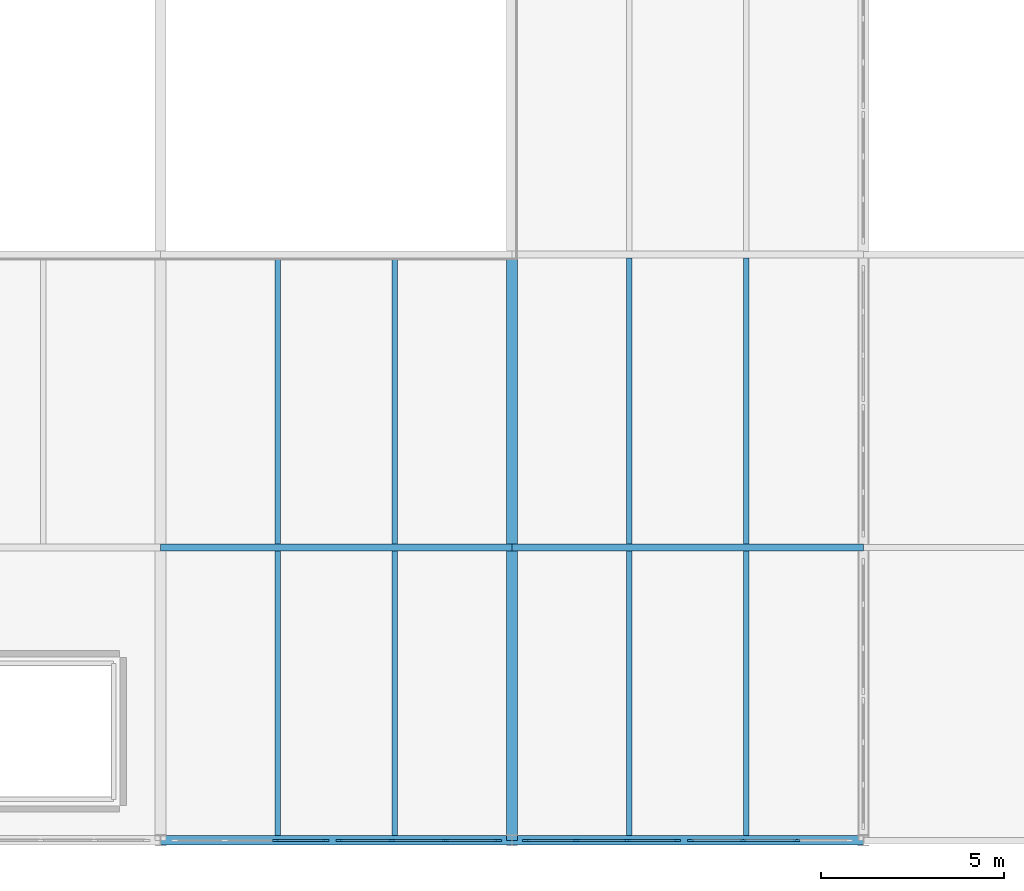
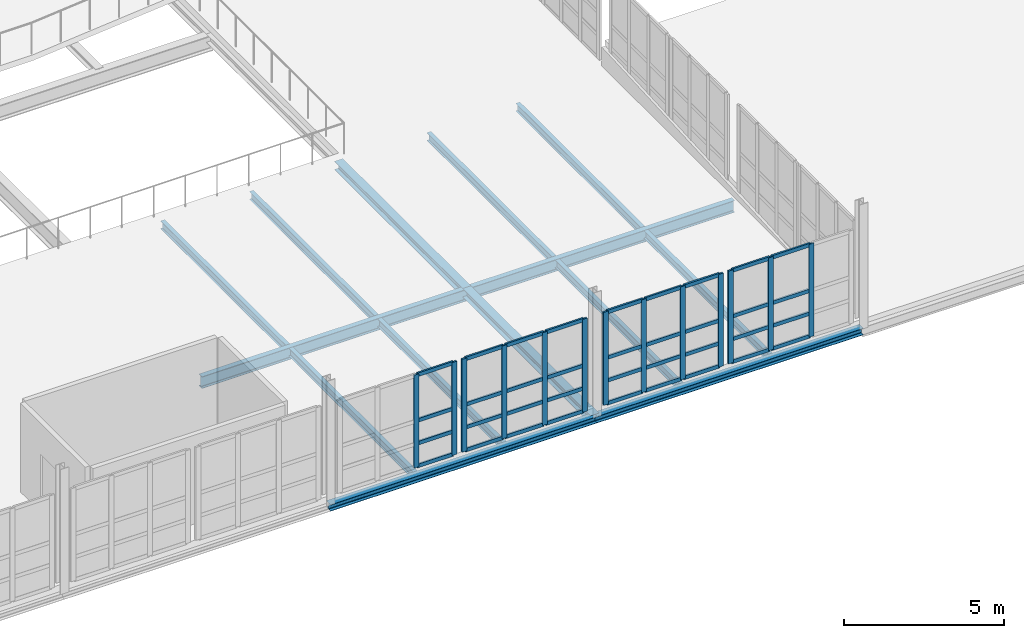
# One storey, part 27 of 73: 49 members, 14 beams, 4 elements without a shape of their own.
"""IFC4 building model written with IfcOpenShell, lengths in metres."""

from ifc_helpers import new_model, si_unit, direction, frame, origin, origin_2d, place, context, subcontext, project, spatial, rectangle, i_section, extrude, material, layer, layer_set, material_profile, profile_set, type_object, element, aggregate, save


model = new_model("IFC4")

# Units and contexts
model_context = context("Model", 3, precision=1e-05, world=origin(), true_north=direction((0.0, 1.0)))
body_context = subcontext(model_context, "Body", "Model", "MODEL_VIEW")
ifc_project = project(units=[si_unit("LENGTHUNIT", "METRE"), si_unit("AREAUNIT", "SQUARE_METRE"), si_unit("VOLUMEUNIT", "CUBIC_METRE"), si_unit("PLANEANGLEUNIT", "RADIAN"), si_unit("MASSUNIT", "GRAM", prefix="KILO")], contexts=[model_context])

# Site, building, storey
site_placement = place(None, origin())
site = spatial("IfcSite", under=ifc_project, at=site_placement, CompositionType="ELEMENT")
building_placement = place(site_placement, origin())
building = spatial("IfcBuilding", under=site, at=building_placement, Name="Alderhovde Museum", CompositionType="ELEMENT")
storey_placement = place(building_placement, frame((0.0, 0.0, 12.89990234375)))
storey = spatial("IfcBuildingStorey", under=building, at=storey_placement, Name="L03", CompositionType="ELEMENT", Elevation=12.89990234375)

# Beams
ifc_material_1 = material(Name="Steel S355J2", Category="steel")
ifc_material_profile_1 = material_profile(ifc_material_1, i_section(OverallWidth=0.300048828125, OverallDepth=0.330078125, WebThickness=0.009521484375, FlangeThickness=0.0166015625, FilletRadius=0.027099609375, at=origin_2d()), Name="HEA 340")
ifc_profile_set_1 = profile_set([ifc_material_profile_1], Name="Steel S355J2")
beam_type_1 = type_object("IfcBeamType", Name="BM-HEA340", PredefinedType="BEAM", material=ifc_profile_set_1)
for number, where, z_axis, x_axis, name in (
    (1, (105.60009765625, 32.0, -0.4248046875), (0.0, 1.0, 0.0), (-1.0, 0.0, 0.0), "L03 Grid Beam X=105.6 (32.0 TO 40.0)"),
    (2, (105.60009765625, 40.0, -0.4248046875), (0.0, 1.0, 0.0), (-1.0, 0.0, 0.0), "L03 Grid Beam X=105.6 (40.0 TO 48.0)"),
):
    element("IfcBeam", number, at=place(storey_placement, frame(where, z_axis=z_axis, x_axis=x_axis)), inside=storey, type_object=beam_type_1, Name=name, PredefinedType="BEAM", context=body_context, shape_type="SweptSolid", body=[
        extrude(i_section(OverallWidth=0.300048828125, OverallDepth=0.330078125, WebThickness=0.009521484375, FlangeThickness=0.0166015625, FilletRadius=0.027099609375, at=origin_2d()), origin(), (0.0, 0.0, 1.0), 8.0),
    ])
ifc_material_2 = material(Name="Steel S355J2", Category="steel")
ifc_material_profile_2 = material_profile(ifc_material_2, i_section(OverallWidth=0.18994140625, OverallDepth=0.449951171875, WebThickness=0.009521484375, FlangeThickness=0.0146484375, FilletRadius=0.02099609375, at=origin_2d()), Name="IPE 450")
ifc_profile_set_2 = profile_set([ifc_material_profile_2], Name="Steel S355J2")
beam_type_2 = type_object("IfcBeamType", Name="BM-IPE450", PredefinedType="BEAM", material=ifc_profile_set_2)
beam_1_placement = place(storey_placement, frame((96.0, 40.0, -0.48486328125), z_axis=(1.0, 0.0, 0.0), x_axis=(0.0, 1.0, 0.0)))
element("IfcBeam", 3, at=beam_1_placement, inside=storey, type_object=beam_type_2, Name="L03 Grid Beam Y=40.0 (96.0 TO 105.6)", PredefinedType="BEAM", context=body_context, shape_type="SweptSolid", body=[
    extrude(i_section(OverallWidth=0.18994140625, OverallDepth=0.449951171875, WebThickness=0.009521484375, FlangeThickness=0.0146484375, FilletRadius=0.02099609375, at=origin_2d()), origin(), (0.0, 0.0, 1.0), 9.60009765625),
])
beam_2_placement = place(storey_placement, frame((105.60009765625, 40.0, -0.48486328125), z_axis=(1.0, 0.0, 0.0), x_axis=(0.0, 1.0, 0.0)))
element("IfcBeam", 4, at=beam_2_placement, inside=storey, type_object=beam_type_2, Name="L03 Grid Beam Y=40.0 (105.6 TO 115.2)", PredefinedType="BEAM", context=body_context, shape_type="SweptSolid", body=[
    extrude(i_section(OverallWidth=0.18994140625, OverallDepth=0.449951171875, WebThickness=0.009521484375, FlangeThickness=0.0146484375, FilletRadius=0.02099609375, at=origin_2d()), origin(), (0.0, 0.0, 1.0), 9.599853515625),
])

# Curtain wall, members
ifc_material_3 = material(Name="Triple-Glazed Bronze-Anodised Curtain Wall", Category="glass")
ifc_layer_1 = layer(ifc_material_3, 0.179931640625)
ifc_layer_set_1 = layer_set([ifc_layer_1], Name="Triple-Glazed Bronze-Anodised Curtain Wall")
curtain_wall_type_1 = type_object("IfcCurtainWallType", Name="CW-UNIT-420x354", PredefinedType="USERDEFINED", material=ifc_layer_set_1)
curtain_wall_1_placement = place(storey_placement, origin())
curtain_wall_1 = element("IfcCurtainWall", 5, at=curtain_wall_1_placement, inside=storey, type_object=curtain_wall_type_1, Name="L03 Unitised Curtain Wall 60", ObjectType="UNITISED CURTAIN WALL", PredefinedType="USERDEFINED")
ifc_material_4 = material(Name="Bronze-Anodised Aluminium EN AW-6063-T6", Category="aluminium")
ifc_material_profile_3 = material_profile(ifc_material_4, rectangle(XDim=0.06494140625, YDim=0.179931640625, at=origin_2d()), Name="MULLION 65x180")
ifc_profile_set_3 = profile_set([ifc_material_profile_3], Name="Bronze-Anodised Aluminium EN AW-6063-T6")
member_type_1 = type_object("IfcMemberType", Name="CWM-65x180", PredefinedType="MULLION", material=ifc_profile_set_3)
member_1_placement = place(storey_placement, frame((99.14990234375, 32.0, 0.0), z_axis=(0.0, 0.0, 1.0), x_axis=(0.0, 1.0, 0.0)))
member_1 = element("IfcMember", 6, at=member_1_placement, type_object=member_type_1, Name="CW15 mullion 3", PredefinedType="MULLION", context=body_context, shape_type="SweptSolid", body=[
    extrude(rectangle(XDim=0.06494140625, YDim=0.179931640625, at=origin_2d()), origin(), (0.0, 0.0, 1.0), 3.5400390625),
])
member_2_placement = place(storey_placement, frame((100.517578125, 32.0, 0.0), z_axis=(0.0, 0.0, 1.0), x_axis=(0.0, 1.0, 0.0)))
member_2 = element("IfcMember", 7, at=member_2_placement, type_object=member_type_1, Name="CW15 mullion 4", PredefinedType="MULLION", context=body_context, shape_type="SweptSolid", body=[
    extrude(rectangle(XDim=0.06494140625, YDim=0.179931640625, at=origin_2d()), origin(), (0.0, 0.0, 1.0), 3.5400390625),
])

ifc_material_5 = material(Name="Triple-Glazed Bronze-Anodised Curtain Wall", Category="glass")
ifc_layer_2 = layer(ifc_material_5, 0.179931640625)
ifc_layer_set_2 = layer_set([ifc_layer_2], Name="Triple-Glazed Bronze-Anodised Curtain Wall")
curtain_wall_type_2 = type_object("IfcCurtainWallType", Name="CW-UNIT-440x354", PredefinedType="USERDEFINED", material=ifc_layer_set_2)
curtain_wall_2_placement = place(storey_placement, origin())
curtain_wall_2 = element("IfcCurtainWall", 8, at=curtain_wall_2_placement, inside=storey, type_object=curtain_wall_type_2, Name="L03 Unitised Curtain Wall 61", ObjectType="UNITISED CURTAIN WALL", PredefinedType="USERDEFINED")
member_3_placement = place(storey_placement, frame((100.882568359375, 32.0, 0.0), z_axis=(0.0, 0.0, 1.0), x_axis=(0.0, 1.0, 0.0)))
member_3 = element("IfcMember", 9, at=member_3_placement, type_object=member_type_1, Name="CW16 mullion 1", PredefinedType="MULLION", context=body_context, shape_type="SweptSolid", body=[
    extrude(rectangle(XDim=0.06494140625, YDim=0.179931640625, at=origin_2d()), origin(), (0.0, 0.0, 1.0), 3.5400390625),
])
member_4_placement = place(storey_placement, frame((102.316650390625, 32.0, 0.0), z_axis=(0.0, 0.0, 1.0), x_axis=(0.0, 1.0, 0.0)))
member_4 = element("IfcMember", 10, at=member_4_placement, type_object=member_type_1, Name="CW16 mullion 2", PredefinedType="MULLION", context=body_context, shape_type="SweptSolid", body=[
    extrude(rectangle(XDim=0.06494140625, YDim=0.179931640625, at=origin_2d()), origin(), (0.0, 0.0, 1.0), 3.5400390625),
])
member_5_placement = place(storey_placement, frame((103.783447265625, 32.0, 0.0), z_axis=(0.0, 0.0, 1.0), x_axis=(0.0, 1.0, 0.0)))
member_5 = element("IfcMember", 11, at=member_5_placement, type_object=member_type_1, Name="CW16 mullion 3", PredefinedType="MULLION", context=body_context, shape_type="SweptSolid", body=[
    extrude(rectangle(XDim=0.06494140625, YDim=0.179931640625, at=origin_2d()), origin(), (0.0, 0.0, 1.0), 3.5400390625),
])
member_6_placement = place(storey_placement, frame((105.217529296875, 32.0, 0.0), z_axis=(0.0, 0.0, 1.0), x_axis=(0.0, 1.0, 0.0)))
member_6 = element("IfcMember", 12, at=member_6_placement, type_object=member_type_1, Name="CW16 mullion 4", PredefinedType="MULLION", context=body_context, shape_type="SweptSolid", body=[
    extrude(rectangle(XDim=0.06494140625, YDim=0.179931640625, at=origin_2d()), origin(), (0.0, 0.0, 1.0), 3.5400390625),
])

curtain_wall_3_placement = place(storey_placement, origin())
curtain_wall_3 = element("IfcCurtainWall", 13, at=curtain_wall_3_placement, inside=storey, type_object=curtain_wall_type_1, Name="L03 Unitised Curtain Wall 62", ObjectType="UNITISED CURTAIN WALL", PredefinedType="USERDEFINED")
member_7_placement = place(storey_placement, frame((105.982421875, 32.0, 0.0), z_axis=(0.0, 0.0, 1.0), x_axis=(0.0, 1.0, 0.0)))
member_7 = element("IfcMember", 14, at=member_7_placement, type_object=member_type_1, Name="CW15 mullion 1", PredefinedType="MULLION", context=body_context, shape_type="SweptSolid", body=[
    extrude(rectangle(XDim=0.06494140625, YDim=0.179931640625, at=origin_2d()), origin(), (0.0, 0.0, 1.0), 3.5400390625),
])
member_8_placement = place(storey_placement, frame((107.35009765625, 32.0, 0.0), z_axis=(0.0, 0.0, 1.0), x_axis=(0.0, 1.0, 0.0)))
member_8 = element("IfcMember", 15, at=member_8_placement, type_object=member_type_1, Name="CW15 mullion 2", PredefinedType="MULLION", context=body_context, shape_type="SweptSolid", body=[
    extrude(rectangle(XDim=0.06494140625, YDim=0.179931640625, at=origin_2d()), origin(), (0.0, 0.0, 1.0), 3.5400390625),
])
member_9_placement = place(storey_placement, frame((108.75, 32.0, 0.0), z_axis=(0.0, 0.0, 1.0), x_axis=(0.0, 1.0, 0.0)))
member_9 = element("IfcMember", 16, at=member_9_placement, type_object=member_type_1, Name="CW15 mullion 3", PredefinedType="MULLION", context=body_context, shape_type="SweptSolid", body=[
    extrude(rectangle(XDim=0.06494140625, YDim=0.179931640625, at=origin_2d()), origin(), (0.0, 0.0, 1.0), 3.5400390625),
])
member_10_placement = place(storey_placement, frame((110.117431640625, 32.0, 0.0), z_axis=(0.0, 0.0, 1.0), x_axis=(0.0, 1.0, 0.0)))
member_10 = element("IfcMember", 17, at=member_10_placement, type_object=member_type_1, Name="CW15 mullion 4", PredefinedType="MULLION", context=body_context, shape_type="SweptSolid", body=[
    extrude(rectangle(XDim=0.06494140625, YDim=0.179931640625, at=origin_2d()), origin(), (0.0, 0.0, 1.0), 3.5400390625),
])

curtain_wall_4_placement = place(storey_placement, origin())
curtain_wall_4 = element("IfcCurtainWall", 18, at=curtain_wall_4_placement, inside=storey, type_object=curtain_wall_type_2, Name="L03 Unitised Curtain Wall 63", ObjectType="UNITISED CURTAIN WALL", PredefinedType="USERDEFINED")
member_11_placement = place(storey_placement, frame((110.482421875, 32.0, 0.0), z_axis=(0.0, 0.0, 1.0), x_axis=(0.0, 1.0, 0.0)))
member_11 = element("IfcMember", 19, at=member_11_placement, type_object=member_type_1, Name="CW16 mullion 1", PredefinedType="MULLION", context=body_context, shape_type="SweptSolid", body=[
    extrude(rectangle(XDim=0.06494140625, YDim=0.179931640625, at=origin_2d()), origin(), (0.0, 0.0, 1.0), 3.5400390625),
])
member_12_placement = place(storey_placement, frame((111.916748046875, 32.0, 0.0), z_axis=(0.0, 0.0, 1.0), x_axis=(0.0, 1.0, 0.0)))
member_12 = element("IfcMember", 20, at=member_12_placement, type_object=member_type_1, Name="CW16 mullion 2", PredefinedType="MULLION", context=body_context, shape_type="SweptSolid", body=[
    extrude(rectangle(XDim=0.06494140625, YDim=0.179931640625, at=origin_2d()), origin(), (0.0, 0.0, 1.0), 3.5400390625),
])
member_13_placement = place(storey_placement, frame((113.38330078125, 32.0, 0.0), z_axis=(0.0, 0.0, 1.0), x_axis=(0.0, 1.0, 0.0)))
member_13 = element("IfcMember", 21, at=member_13_placement, type_object=member_type_1, Name="CW16 mullion 3", PredefinedType="MULLION", context=body_context, shape_type="SweptSolid", body=[
    extrude(rectangle(XDim=0.06494140625, YDim=0.179931640625, at=origin_2d()), origin(), (0.0, 0.0, 1.0), 3.5400390625),
])

# Member
ifc_material_6 = material(Name="Bronze-Anodised Aluminium EN AW-6063-T6", Category="aluminium")
ifc_material_profile_4 = material_profile(ifc_material_6, rectangle(XDim=0.06494140625, YDim=0.139892578125, at=origin_2d()), Name="TRANSOM 65x140")
ifc_profile_set_4 = profile_set([ifc_material_profile_4], Name="Bronze-Anodised Aluminium EN AW-6063-T6")
member_type_2 = type_object("IfcMemberType", Name="CWT-65x140", PredefinedType="USERDEFINED", material=ifc_profile_set_4)
member_14_placement = place(storey_placement, frame((99.1826171875, 32.0, 0.03271484375), z_axis=(1.0, 0.0, 0.0), x_axis=(0.0, 1.0, 0.0)))
member_14 = element("IfcMember", 22, at=member_14_placement, type_object=member_type_2, Name="CW15 transom 3.1", ObjectType="TRANSOM", PredefinedType="USERDEFINED", context=body_context, shape_type="SweptSolid", body=[
    extrude(rectangle(XDim=0.06494140625, YDim=0.139892578125, at=origin_2d()), origin(), (0.0, 0.0, 1.0), 1.302490234375),
])

member_15_placement = place(storey_placement, frame((99.1826171875, 32.0, 0.900146484375), z_axis=(1.0, 0.0, 0.0), x_axis=(0.0, 1.0, 0.0)))
member_15 = element("IfcMember", 23, at=member_15_placement, type_object=member_type_2, Name="CW15 transom 3.2", ObjectType="TRANSOM", PredefinedType="USERDEFINED", context=body_context, shape_type="SweptSolid", body=[
    extrude(rectangle(XDim=0.06494140625, YDim=0.139892578125, at=origin_2d()), origin(), (0.0, 0.0, 1.0), 1.302490234375),
])

member_16_placement = place(storey_placement, frame((99.1826171875, 32.0, 1.77001953125), z_axis=(1.0, 0.0, 0.0), x_axis=(0.0, 1.0, 0.0)))
member_16 = element("IfcMember", 24, at=member_16_placement, type_object=member_type_2, Name="CW15 transom 3.3", ObjectType="TRANSOM", PredefinedType="USERDEFINED", context=body_context, shape_type="SweptSolid", body=[
    extrude(rectangle(XDim=0.06494140625, YDim=0.139892578125, at=origin_2d()), origin(), (0.0, 0.0, 1.0), 1.302490234375),
])

member_17_placement = place(storey_placement, frame((99.1826171875, 32.0, 3.507568359375), z_axis=(1.0, 0.0, 0.0), x_axis=(0.0, 1.0, 0.0)))
member_17 = element("IfcMember", 25, at=member_17_placement, type_object=member_type_2, Name="CW15 transom 3.4", ObjectType="TRANSOM", PredefinedType="USERDEFINED", context=body_context, shape_type="SweptSolid", body=[
    extrude(rectangle(XDim=0.06494140625, YDim=0.139892578125, at=origin_2d()), origin(), (0.0, 0.0, 1.0), 1.302490234375),
])

aggregate(curtain_wall_1, [member_1, member_2, member_14, member_15, member_16, member_17])

member_18_placement = place(storey_placement, frame((100.9150390625, 32.0, 0.03271484375), z_axis=(1.0, 0.0, 0.0), x_axis=(0.0, 1.0, 0.0)))
member_18 = element("IfcMember", 26, at=member_18_placement, type_object=member_type_2, Name="CW16 transom 1.1", ObjectType="TRANSOM", PredefinedType="USERDEFINED", context=body_context, shape_type="SweptSolid", body=[
    extrude(rectangle(XDim=0.06494140625, YDim=0.139892578125, at=origin_2d()), origin(), (0.0, 0.0, 1.0), 1.369140625),
])

member_19_placement = place(storey_placement, frame((100.9150390625, 32.0, 0.900146484375), z_axis=(1.0, 0.0, 0.0), x_axis=(0.0, 1.0, 0.0)))
member_19 = element("IfcMember", 27, at=member_19_placement, type_object=member_type_2, Name="CW16 transom 1.2", ObjectType="TRANSOM", PredefinedType="USERDEFINED", context=body_context, shape_type="SweptSolid", body=[
    extrude(rectangle(XDim=0.06494140625, YDim=0.139892578125, at=origin_2d()), origin(), (0.0, 0.0, 1.0), 1.369140625),
])

member_20_placement = place(storey_placement, frame((100.9150390625, 32.0, 1.77001953125), z_axis=(1.0, 0.0, 0.0), x_axis=(0.0, 1.0, 0.0)))
member_20 = element("IfcMember", 28, at=member_20_placement, type_object=member_type_2, Name="CW16 transom 1.3", ObjectType="TRANSOM", PredefinedType="USERDEFINED", context=body_context, shape_type="SweptSolid", body=[
    extrude(rectangle(XDim=0.06494140625, YDim=0.139892578125, at=origin_2d()), origin(), (0.0, 0.0, 1.0), 1.369140625),
])

member_21_placement = place(storey_placement, frame((100.9150390625, 32.0, 3.507568359375), z_axis=(1.0, 0.0, 0.0), x_axis=(0.0, 1.0, 0.0)))
member_21 = element("IfcMember", 29, at=member_21_placement, type_object=member_type_2, Name="CW16 transom 1.4", ObjectType="TRANSOM", PredefinedType="USERDEFINED", context=body_context, shape_type="SweptSolid", body=[
    extrude(rectangle(XDim=0.06494140625, YDim=0.139892578125, at=origin_2d()), origin(), (0.0, 0.0, 1.0), 1.369140625),
])

member_22_placement = place(storey_placement, frame((102.34912109375, 32.0, 0.03271484375), z_axis=(1.0, 0.0, 0.0), x_axis=(0.0, 1.0, 0.0)))
member_22 = element("IfcMember", 30, at=member_22_placement, type_object=member_type_2, Name="CW16 transom 2.1", ObjectType="TRANSOM", PredefinedType="USERDEFINED", context=body_context, shape_type="SweptSolid", body=[
    extrude(rectangle(XDim=0.06494140625, YDim=0.139892578125, at=origin_2d()), origin(), (0.0, 0.0, 1.0), 1.401611328125),
])

member_23_placement = place(storey_placement, frame((102.34912109375, 32.0, 0.900146484375), z_axis=(1.0, 0.0, 0.0), x_axis=(0.0, 1.0, 0.0)))
member_23 = element("IfcMember", 31, at=member_23_placement, type_object=member_type_2, Name="CW16 transom 2.2", ObjectType="TRANSOM", PredefinedType="USERDEFINED", context=body_context, shape_type="SweptSolid", body=[
    extrude(rectangle(XDim=0.06494140625, YDim=0.139892578125, at=origin_2d()), origin(), (0.0, 0.0, 1.0), 1.401611328125),
])

member_24_placement = place(storey_placement, frame((102.34912109375, 32.0, 1.77001953125), z_axis=(1.0, 0.0, 0.0), x_axis=(0.0, 1.0, 0.0)))
member_24 = element("IfcMember", 32, at=member_24_placement, type_object=member_type_2, Name="CW16 transom 2.3", ObjectType="TRANSOM", PredefinedType="USERDEFINED", context=body_context, shape_type="SweptSolid", body=[
    extrude(rectangle(XDim=0.06494140625, YDim=0.139892578125, at=origin_2d()), origin(), (0.0, 0.0, 1.0), 1.401611328125),
])

member_25_placement = place(storey_placement, frame((102.34912109375, 32.0, 3.507568359375), z_axis=(1.0, 0.0, 0.0), x_axis=(0.0, 1.0, 0.0)))
member_25 = element("IfcMember", 33, at=member_25_placement, type_object=member_type_2, Name="CW16 transom 2.4", ObjectType="TRANSOM", PredefinedType="USERDEFINED", context=body_context, shape_type="SweptSolid", body=[
    extrude(rectangle(XDim=0.06494140625, YDim=0.139892578125, at=origin_2d()), origin(), (0.0, 0.0, 1.0), 1.401611328125),
])

member_26_placement = place(storey_placement, frame((103.81591796875, 32.0, 0.03271484375), z_axis=(1.0, 0.0, 0.0), x_axis=(0.0, 1.0, 0.0)))
member_26 = element("IfcMember", 34, at=member_26_placement, type_object=member_type_2, Name="CW16 transom 3.1", ObjectType="TRANSOM", PredefinedType="USERDEFINED", context=body_context, shape_type="SweptSolid", body=[
    extrude(rectangle(XDim=0.06494140625, YDim=0.139892578125, at=origin_2d()), origin(), (0.0, 0.0, 1.0), 1.369140625),
])

member_27_placement = place(storey_placement, frame((103.81591796875, 32.0, 0.900146484375), z_axis=(1.0, 0.0, 0.0), x_axis=(0.0, 1.0, 0.0)))
member_27 = element("IfcMember", 35, at=member_27_placement, type_object=member_type_2, Name="CW16 transom 3.2", ObjectType="TRANSOM", PredefinedType="USERDEFINED", context=body_context, shape_type="SweptSolid", body=[
    extrude(rectangle(XDim=0.06494140625, YDim=0.139892578125, at=origin_2d()), origin(), (0.0, 0.0, 1.0), 1.369140625),
])

member_28_placement = place(storey_placement, frame((103.81591796875, 32.0, 1.77001953125), z_axis=(1.0, 0.0, 0.0), x_axis=(0.0, 1.0, 0.0)))
member_28 = element("IfcMember", 36, at=member_28_placement, type_object=member_type_2, Name="CW16 transom 3.3", ObjectType="TRANSOM", PredefinedType="USERDEFINED", context=body_context, shape_type="SweptSolid", body=[
    extrude(rectangle(XDim=0.06494140625, YDim=0.139892578125, at=origin_2d()), origin(), (0.0, 0.0, 1.0), 1.369140625),
])

member_29_placement = place(storey_placement, frame((103.81591796875, 32.0, 3.507568359375), z_axis=(1.0, 0.0, 0.0), x_axis=(0.0, 1.0, 0.0)))
member_29 = element("IfcMember", 37, at=member_29_placement, type_object=member_type_2, Name="CW16 transom 3.4", ObjectType="TRANSOM", PredefinedType="USERDEFINED", context=body_context, shape_type="SweptSolid", body=[
    extrude(rectangle(XDim=0.06494140625, YDim=0.139892578125, at=origin_2d()), origin(), (0.0, 0.0, 1.0), 1.369140625),
])

aggregate(curtain_wall_2, [member_3, member_4, member_5, member_6, member_18, member_19, member_20, member_21, member_22, member_23, member_24, member_25, member_26, member_27, member_28, member_29])

member_30_placement = place(storey_placement, frame((106.014892578125, 32.0, 0.03271484375), z_axis=(1.0, 0.0, 0.0), x_axis=(0.0, 1.0, 0.0)))
member_30 = element("IfcMember", 38, at=member_30_placement, type_object=member_type_2, Name="CW15 transom 1.1", ObjectType="TRANSOM", PredefinedType="USERDEFINED", context=body_context, shape_type="SweptSolid", body=[
    extrude(rectangle(XDim=0.06494140625, YDim=0.139892578125, at=origin_2d()), origin(), (0.0, 0.0, 1.0), 1.302490234375),
])

member_31_placement = place(storey_placement, frame((106.014892578125, 32.0, 0.900146484375), z_axis=(1.0, 0.0, 0.0), x_axis=(0.0, 1.0, 0.0)))
member_31 = element("IfcMember", 39, at=member_31_placement, type_object=member_type_2, Name="CW15 transom 1.2", ObjectType="TRANSOM", PredefinedType="USERDEFINED", context=body_context, shape_type="SweptSolid", body=[
    extrude(rectangle(XDim=0.06494140625, YDim=0.139892578125, at=origin_2d()), origin(), (0.0, 0.0, 1.0), 1.302490234375),
])

member_32_placement = place(storey_placement, frame((106.014892578125, 32.0, 1.77001953125), z_axis=(1.0, 0.0, 0.0), x_axis=(0.0, 1.0, 0.0)))
member_32 = element("IfcMember", 40, at=member_32_placement, type_object=member_type_2, Name="CW15 transom 1.3", ObjectType="TRANSOM", PredefinedType="USERDEFINED", context=body_context, shape_type="SweptSolid", body=[
    extrude(rectangle(XDim=0.06494140625, YDim=0.139892578125, at=origin_2d()), origin(), (0.0, 0.0, 1.0), 1.302490234375),
])

member_33_placement = place(storey_placement, frame((106.014892578125, 32.0, 3.507568359375), z_axis=(1.0, 0.0, 0.0), x_axis=(0.0, 1.0, 0.0)))
member_33 = element("IfcMember", 41, at=member_33_placement, type_object=member_type_2, Name="CW15 transom 1.4", ObjectType="TRANSOM", PredefinedType="USERDEFINED", context=body_context, shape_type="SweptSolid", body=[
    extrude(rectangle(XDim=0.06494140625, YDim=0.139892578125, at=origin_2d()), origin(), (0.0, 0.0, 1.0), 1.302490234375),
])

member_34_placement = place(storey_placement, frame((107.382568359375, 32.0, 0.03271484375), z_axis=(1.0, 0.0, 0.0), x_axis=(0.0, 1.0, 0.0)))
member_34 = element("IfcMember", 42, at=member_34_placement, type_object=member_type_2, Name="CW15 transom 2.1", ObjectType="TRANSOM", PredefinedType="USERDEFINED", context=body_context, shape_type="SweptSolid", body=[
    extrude(rectangle(XDim=0.06494140625, YDim=0.139892578125, at=origin_2d()), origin(), (0.0, 0.0, 1.0), 1.3349609375),
])

member_35_placement = place(storey_placement, frame((107.382568359375, 32.0, 0.900146484375), z_axis=(1.0, 0.0, 0.0), x_axis=(0.0, 1.0, 0.0)))
member_35 = element("IfcMember", 43, at=member_35_placement, type_object=member_type_2, Name="CW15 transom 2.2", ObjectType="TRANSOM", PredefinedType="USERDEFINED", context=body_context, shape_type="SweptSolid", body=[
    extrude(rectangle(XDim=0.06494140625, YDim=0.139892578125, at=origin_2d()), origin(), (0.0, 0.0, 1.0), 1.3349609375),
])

member_36_placement = place(storey_placement, frame((107.382568359375, 32.0, 1.77001953125), z_axis=(1.0, 0.0, 0.0), x_axis=(0.0, 1.0, 0.0)))
member_36 = element("IfcMember", 44, at=member_36_placement, type_object=member_type_2, Name="CW15 transom 2.3", ObjectType="TRANSOM", PredefinedType="USERDEFINED", context=body_context, shape_type="SweptSolid", body=[
    extrude(rectangle(XDim=0.06494140625, YDim=0.139892578125, at=origin_2d()), origin(), (0.0, 0.0, 1.0), 1.3349609375),
])

member_37_placement = place(storey_placement, frame((107.382568359375, 32.0, 3.507568359375), z_axis=(1.0, 0.0, 0.0), x_axis=(0.0, 1.0, 0.0)))
member_37 = element("IfcMember", 45, at=member_37_placement, type_object=member_type_2, Name="CW15 transom 2.4", ObjectType="TRANSOM", PredefinedType="USERDEFINED", context=body_context, shape_type="SweptSolid", body=[
    extrude(rectangle(XDim=0.06494140625, YDim=0.139892578125, at=origin_2d()), origin(), (0.0, 0.0, 1.0), 1.3349609375),
])

member_38_placement = place(storey_placement, frame((108.782470703125, 32.0, 0.03271484375), z_axis=(1.0, 0.0, 0.0), x_axis=(0.0, 1.0, 0.0)))
member_38 = element("IfcMember", 46, at=member_38_placement, type_object=member_type_2, Name="CW15 transom 3.1", ObjectType="TRANSOM", PredefinedType="USERDEFINED", context=body_context, shape_type="SweptSolid", body=[
    extrude(rectangle(XDim=0.06494140625, YDim=0.139892578125, at=origin_2d()), origin(), (0.0, 0.0, 1.0), 1.302490234375),
])

member_39_placement = place(storey_placement, frame((108.782470703125, 32.0, 0.900146484375), z_axis=(1.0, 0.0, 0.0), x_axis=(0.0, 1.0, 0.0)))
member_39 = element("IfcMember", 47, at=member_39_placement, type_object=member_type_2, Name="CW15 transom 3.2", ObjectType="TRANSOM", PredefinedType="USERDEFINED", context=body_context, shape_type="SweptSolid", body=[
    extrude(rectangle(XDim=0.06494140625, YDim=0.139892578125, at=origin_2d()), origin(), (0.0, 0.0, 1.0), 1.302490234375),
])

member_40_placement = place(storey_placement, frame((108.782470703125, 32.0, 1.77001953125), z_axis=(1.0, 0.0, 0.0), x_axis=(0.0, 1.0, 0.0)))
member_40 = element("IfcMember", 48, at=member_40_placement, type_object=member_type_2, Name="CW15 transom 3.3", ObjectType="TRANSOM", PredefinedType="USERDEFINED", context=body_context, shape_type="SweptSolid", body=[
    extrude(rectangle(XDim=0.06494140625, YDim=0.139892578125, at=origin_2d()), origin(), (0.0, 0.0, 1.0), 1.302490234375),
])

member_41_placement = place(storey_placement, frame((108.782470703125, 32.0, 3.507568359375), z_axis=(1.0, 0.0, 0.0), x_axis=(0.0, 1.0, 0.0)))
member_41 = element("IfcMember", 49, at=member_41_placement, type_object=member_type_2, Name="CW15 transom 3.4", ObjectType="TRANSOM", PredefinedType="USERDEFINED", context=body_context, shape_type="SweptSolid", body=[
    extrude(rectangle(XDim=0.06494140625, YDim=0.139892578125, at=origin_2d()), origin(), (0.0, 0.0, 1.0), 1.302490234375),
])

aggregate(curtain_wall_3, [member_7, member_8, member_9, member_10, member_30, member_31, member_32, member_33, member_34, member_35, member_36, member_37, member_38, member_39, member_40, member_41])

member_42_placement = place(storey_placement, frame((110.514892578125, 32.0, 0.03271484375), z_axis=(1.0, 0.0, 0.0), x_axis=(0.0, 1.0, 0.0)))
member_42 = element("IfcMember", 50, at=member_42_placement, type_object=member_type_2, Name="CW16 transom 1.1", ObjectType="TRANSOM", PredefinedType="USERDEFINED", context=body_context, shape_type="SweptSolid", body=[
    extrude(rectangle(XDim=0.06494140625, YDim=0.139892578125, at=origin_2d()), origin(), (0.0, 0.0, 1.0), 1.369384765625),
])

member_43_placement = place(storey_placement, frame((110.514892578125, 32.0, 0.900146484375), z_axis=(1.0, 0.0, 0.0), x_axis=(0.0, 1.0, 0.0)))
member_43 = element("IfcMember", 51, at=member_43_placement, type_object=member_type_2, Name="CW16 transom 1.2", ObjectType="TRANSOM", PredefinedType="USERDEFINED", context=body_context, shape_type="SweptSolid", body=[
    extrude(rectangle(XDim=0.06494140625, YDim=0.139892578125, at=origin_2d()), origin(), (0.0, 0.0, 1.0), 1.369384765625),
])

member_44_placement = place(storey_placement, frame((110.514892578125, 32.0, 1.77001953125), z_axis=(1.0, 0.0, 0.0), x_axis=(0.0, 1.0, 0.0)))
member_44 = element("IfcMember", 52, at=member_44_placement, type_object=member_type_2, Name="CW16 transom 1.3", ObjectType="TRANSOM", PredefinedType="USERDEFINED", context=body_context, shape_type="SweptSolid", body=[
    extrude(rectangle(XDim=0.06494140625, YDim=0.139892578125, at=origin_2d()), origin(), (0.0, 0.0, 1.0), 1.369384765625),
])

member_45_placement = place(storey_placement, frame((110.514892578125, 32.0, 3.507568359375), z_axis=(1.0, 0.0, 0.0), x_axis=(0.0, 1.0, 0.0)))
member_45 = element("IfcMember", 53, at=member_45_placement, type_object=member_type_2, Name="CW16 transom 1.4", ObjectType="TRANSOM", PredefinedType="USERDEFINED", context=body_context, shape_type="SweptSolid", body=[
    extrude(rectangle(XDim=0.06494140625, YDim=0.139892578125, at=origin_2d()), origin(), (0.0, 0.0, 1.0), 1.369384765625),
])

member_46_placement = place(storey_placement, frame((111.94921875, 32.0, 0.03271484375), z_axis=(1.0, 0.0, 0.0), x_axis=(0.0, 1.0, 0.0)))
member_46 = element("IfcMember", 54, at=member_46_placement, type_object=member_type_2, Name="CW16 transom 2.1", ObjectType="TRANSOM", PredefinedType="USERDEFINED", context=body_context, shape_type="SweptSolid", body=[
    extrude(rectangle(XDim=0.06494140625, YDim=0.139892578125, at=origin_2d()), origin(), (0.0, 0.0, 1.0), 1.401611328125),
])

member_47_placement = place(storey_placement, frame((111.94921875, 32.0, 0.900146484375), z_axis=(1.0, 0.0, 0.0), x_axis=(0.0, 1.0, 0.0)))
member_47 = element("IfcMember", 55, at=member_47_placement, type_object=member_type_2, Name="CW16 transom 2.2", ObjectType="TRANSOM", PredefinedType="USERDEFINED", context=body_context, shape_type="SweptSolid", body=[
    extrude(rectangle(XDim=0.06494140625, YDim=0.139892578125, at=origin_2d()), origin(), (0.0, 0.0, 1.0), 1.401611328125),
])

member_48_placement = place(storey_placement, frame((111.94921875, 32.0, 1.77001953125), z_axis=(1.0, 0.0, 0.0), x_axis=(0.0, 1.0, 0.0)))
member_48 = element("IfcMember", 56, at=member_48_placement, type_object=member_type_2, Name="CW16 transom 2.3", ObjectType="TRANSOM", PredefinedType="USERDEFINED", context=body_context, shape_type="SweptSolid", body=[
    extrude(rectangle(XDim=0.06494140625, YDim=0.139892578125, at=origin_2d()), origin(), (0.0, 0.0, 1.0), 1.401611328125),
])

member_49_placement = place(storey_placement, frame((111.94921875, 32.0, 3.507568359375), z_axis=(1.0, 0.0, 0.0), x_axis=(0.0, 1.0, 0.0)))
member_49 = element("IfcMember", 57, at=member_49_placement, type_object=member_type_2, Name="CW16 transom 2.4", ObjectType="TRANSOM", PredefinedType="USERDEFINED", context=body_context, shape_type="SweptSolid", body=[
    extrude(rectangle(XDim=0.06494140625, YDim=0.139892578125, at=origin_2d()), origin(), (0.0, 0.0, 1.0), 1.401611328125),
])

aggregate(curtain_wall_4, [member_11, member_12, member_13, member_42, member_43, member_44, member_45, member_46, member_47, member_48, member_49])

# Beams
ifc_material_7 = material(Name="Steel S355J2", Category="steel")
ifc_material_profile_5 = material_profile(ifc_material_7, i_section(OverallWidth=0.14990234375, OverallDepth=0.300048828125, WebThickness=0.007080078125, FlangeThickness=0.0107421875, FilletRadius=0.014892578125, at=origin_2d()), Name="IPE 300")
ifc_profile_set_5 = profile_set([ifc_material_profile_5], Name="Steel S355J2")
beam_type_3 = type_object("IfcBeamType", Name="JST-IPE300", PredefinedType="JOIST", material=ifc_profile_set_5)
for number, where, z_axis, x_axis, name in (
    (58, (99.199951171875, 32.1298828125, -0.409912109375), (0.0, 1.0, 0.0), (-1.0, 0.0, 0.0), "L03 Composite Joist X=99.2 (32.0 TO 40.0)"),
    (59, (102.39990234375, 32.1298828125, -0.409912109375), (0.0, 1.0, 0.0), (-1.0, 0.0, 0.0), "L03 Composite Joist X=102.4 (32.0 TO 40.0)"),
):
    element("IfcBeam", number, at=place(storey_placement, frame(where, z_axis=z_axis, x_axis=x_axis)), inside=storey, type_object=beam_type_3, Name=name, PredefinedType="JOIST", context=body_context, shape_type="SweptSolid", body=[
        extrude(i_section(OverallWidth=0.14990234375, OverallDepth=0.300048828125, WebThickness=0.007080078125, FlangeThickness=0.0107421875, FilletRadius=0.014892578125, at=origin_2d()), origin(), (0.0, 0.0, 1.0), 7.775146484375),
    ])
for number, where, z_axis, x_axis, name in (
    (60, (99.199951171875, 40.094970703125, -0.409912109375), (0.0, 1.0, 0.0), (-1.0, 0.0, 0.0), "L03 Composite Joist X=99.2 (40.0 TO 48.0)"),
    (61, (102.39990234375, 40.094970703125, -0.409912109375), (0.0, 1.0, 0.0), (-1.0, 0.0, 0.0), "L03 Composite Joist X=102.4 (40.0 TO 48.0)"),
):
    element("IfcBeam", number, at=place(storey_placement, frame(where, z_axis=z_axis, x_axis=x_axis)), inside=storey, type_object=beam_type_3, Name=name, PredefinedType="JOIST", context=body_context, shape_type="SweptSolid", body=[
        extrude(i_section(OverallWidth=0.14990234375, OverallDepth=0.300048828125, WebThickness=0.007080078125, FlangeThickness=0.0107421875, FilletRadius=0.014892578125, at=origin_2d()), origin(), (0.0, 0.0, 1.0), 7.81005859375),
    ])
for number, where, z_axis, x_axis, name in (
    (62, (108.800048828125, 32.1298828125, -0.409912109375), (0.0, 1.0, 0.0), (-1.0, 0.0, 0.0), "L03 Composite Joist X=108.8 (32.0 TO 40.0)"),
    (63, (112.0, 32.1298828125, -0.409912109375), (0.0, 1.0, 0.0), (-1.0, 0.0, 0.0), "L03 Composite Joist X=112.0 (32.0 TO 40.0)"),
):
    element("IfcBeam", number, at=place(storey_placement, frame(where, z_axis=z_axis, x_axis=x_axis)), inside=storey, type_object=beam_type_3, Name=name, PredefinedType="JOIST", context=body_context, shape_type="SweptSolid", body=[
        extrude(i_section(OverallWidth=0.14990234375, OverallDepth=0.300048828125, WebThickness=0.007080078125, FlangeThickness=0.0107421875, FilletRadius=0.014892578125, at=origin_2d()), origin(), (0.0, 0.0, 1.0), 7.775146484375),
    ])
for number, where, z_axis, x_axis, name in (
    (64, (108.800048828125, 40.094970703125, -0.409912109375), (0.0, 1.0, 0.0), (-1.0, 0.0, 0.0), "L03 Composite Joist X=108.8 (40.0 TO 48.0)"),
    (65, (112.0, 40.094970703125, -0.409912109375), (0.0, 1.0, 0.0), (-1.0, 0.0, 0.0), "L03 Composite Joist X=112.0 (40.0 TO 48.0)"),
):
    element("IfcBeam", number, at=place(storey_placement, frame(where, z_axis=z_axis, x_axis=x_axis)), inside=storey, type_object=beam_type_3, Name=name, PredefinedType="JOIST", context=body_context, shape_type="SweptSolid", body=[
        extrude(i_section(OverallWidth=0.14990234375, OverallDepth=0.300048828125, WebThickness=0.007080078125, FlangeThickness=0.0107421875, FilletRadius=0.014892578125, at=origin_2d()), origin(), (0.0, 0.0, 1.0), 7.81005859375),
    ])
ifc_material_8 = material(Name="Steel S355J2", Category="steel")
ifc_material_profile_6 = material_profile(ifc_material_8, i_section(OverallWidth=0.260009765625, OverallDepth=0.25, WebThickness=0.007568359375, FlangeThickness=0.012451171875, FilletRadius=0.02392578125, at=origin_2d()), Name="HEA 260")
ifc_profile_set_6 = profile_set([ifc_material_profile_6], Name="Steel S355J2")
beam_type_4 = type_object("IfcBeamType", Name="SPD-HEA260", PredefinedType="SPANDREL", material=ifc_profile_set_6)
beam_3_placement = place(storey_placement, frame((96.0, 32.0, -0.385009765625), z_axis=(1.0, 0.0, 0.0), x_axis=(0.0, 1.0, 0.0)))
element("IfcBeam", 66, at=beam_3_placement, inside=storey, type_object=beam_type_4, Name="L03 Grid Beam Y=32.0 (96.0 TO 105.6)", PredefinedType="SPANDREL", context=body_context, shape_type="SweptSolid", body=[
    extrude(i_section(OverallWidth=0.260009765625, OverallDepth=0.25, WebThickness=0.007568359375, FlangeThickness=0.012451171875, FilletRadius=0.02392578125, at=origin_2d()), origin(), (0.0, 0.0, 1.0), 9.60009765625),
])
beam_4_placement = place(storey_placement, frame((105.60009765625, 32.0, -0.385009765625), z_axis=(1.0, 0.0, 0.0), x_axis=(0.0, 1.0, 0.0)))
element("IfcBeam", 67, at=beam_4_placement, inside=storey, type_object=beam_type_4, Name="L03 Grid Beam Y=32.0 (105.6 TO 115.2)", PredefinedType="SPANDREL", context=body_context, shape_type="SweptSolid", body=[
    extrude(i_section(OverallWidth=0.260009765625, OverallDepth=0.25, WebThickness=0.007568359375, FlangeThickness=0.012451171875, FilletRadius=0.02392578125, at=origin_2d()), origin(), (0.0, 0.0, 1.0), 9.599853515625),
])

save(model, "model.ifc")
